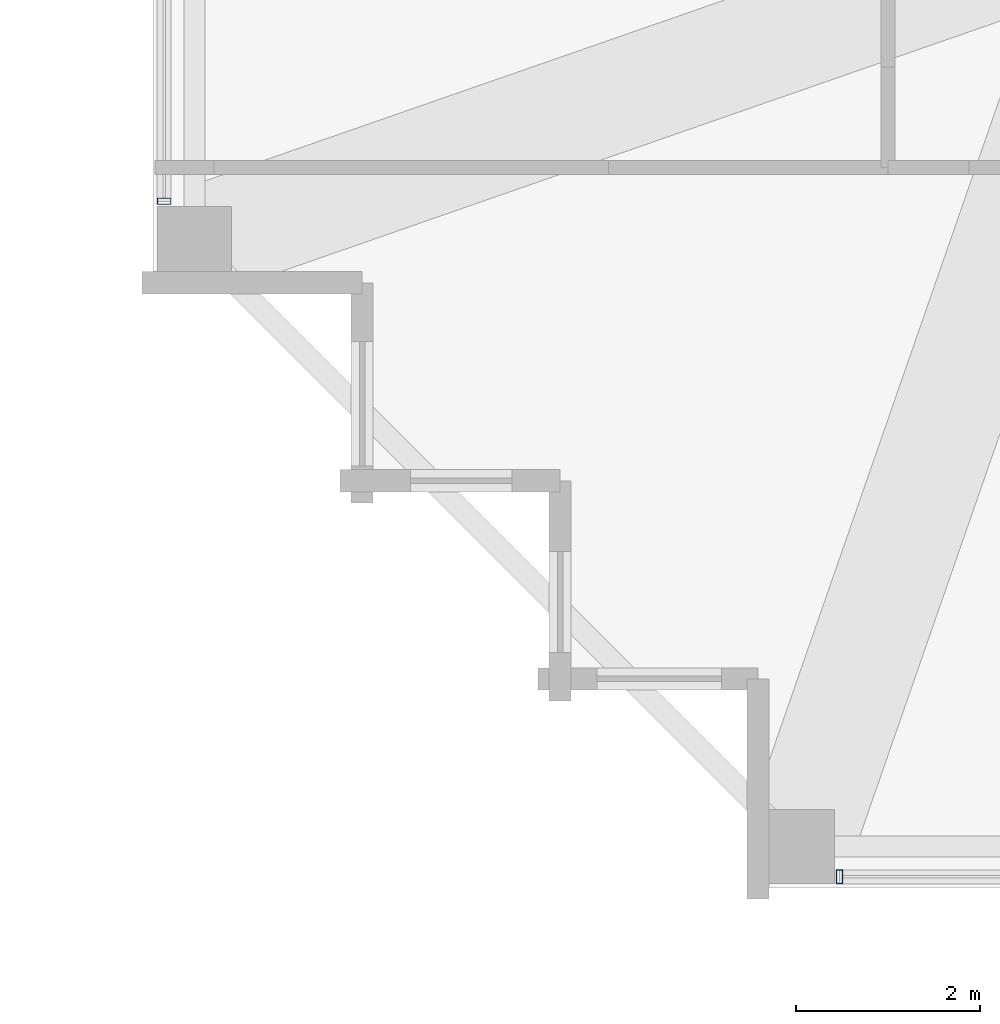
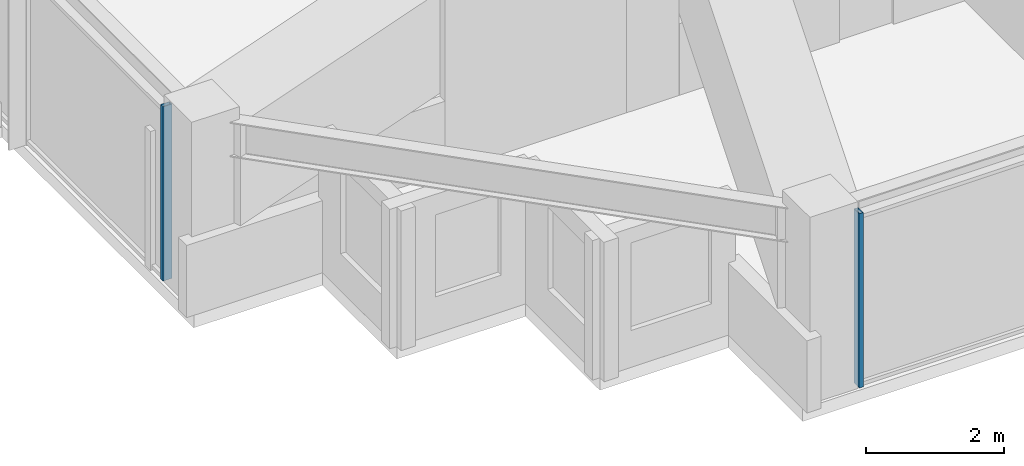
# One storey, part 2 of 35: 2 members, 2 elements without a shape of their own.
"""IFC4 building model written with IfcOpenShell, lengths in metres."""

from ifc_helpers import new_model, si_unit, direction, frame, origin, origin_2d, place, context, subcontext, project, spatial, hollow_rectangle, extrude, material, material_profile, profile_set, type_object, element, aggregate, save


model = new_model("IFC4")

# Units and contexts
model_context = context("Model", 3, precision=1e-05, world=origin(), true_north=direction((0.0, 1.0)))
body_context = subcontext(model_context, "Body", "Model", "MODEL_VIEW")
ifc_project = project(units=[si_unit("LENGTHUNIT", "METRE"), si_unit("AREAUNIT", "SQUARE_METRE"), si_unit("VOLUMEUNIT", "CUBIC_METRE"), si_unit("PLANEANGLEUNIT", "RADIAN"), si_unit("MASSUNIT", "GRAM", prefix="KILO")], contexts=[model_context])

# Site, building, storey
site_placement = place(None, origin())
site = spatial("IfcSite", under=ifc_project, at=site_placement, CompositionType="ELEMENT")
building_placement = place(site_placement, origin())
building = spatial("IfcBuilding", under=site, at=building_placement, Name="Kolvaren Belvedere", CompositionType="ELEMENT")
storey_placement = place(building_placement, frame((0.0, 0.0, 203.10009765625)))
storey = spatial("IfcBuildingStorey", under=building, at=storey_placement, Name="L59", CompositionType="ELEMENT", Elevation=203.10009765625)

# Curtain wall, member
ifc_material_1 = material(Name="Anodised pale-metal aluminium AA 6063-T6", Category="aluminium")
curtain_wall_type = type_object("IfcCurtainWallType", Name="CW-Z5-HIGH", PredefinedType="NOTDEFINED", material=ifc_material_1)
curtain_wall_1_placement = place(storey_placement, origin())
curtain_wall_1 = element("IfcCurtainWall", 1, at=curtain_wall_1_placement, inside=storey, type_object=curtain_wall_type, Name="L59 Unitised Curtain Wall FCW-L59-S-B3", PredefinedType="NOTDEFINED")
ifc_material_2 = material(Name="Anodised pale-metal aluminium AA 6063-T6", Category="aluminium")
ifc_material_profile = material_profile(ifc_material_2, hollow_rectangle(XDim=0.070068359375, YDim=0.14990234375, WallThickness=0.004150390625, at=origin_2d()), Name="ALU-MUL-150X70")
ifc_profile_set = profile_set([ifc_material_profile], Name="Anodised pale-metal aluminium AA 6063-T6")
member_type = type_object("IfcMemberType", Name="CW-MUL-150", PredefinedType="MULLION", material=ifc_profile_set)
member_1_placement = place(storey_placement, frame((-12.945068359375, -20.280029296875, 0.0), z_axis=(0.0, 0.0, 1.0), x_axis=(1.0, 0.0, 0.0)))
member_1 = element("IfcMember", 2, at=member_1_placement, type_object=member_type, Name="FCW-L59-S-B3 Unitised Mullion 3", PredefinedType="MULLION", context=body_context, shape_type="SweptSolid", body=[
    extrude(hollow_rectangle(XDim=0.070068359375, YDim=0.14990234375, WallThickness=0.004150390625, at=origin_2d()), origin(), (0.0, 0.0, 1.0), 3.079833984375),
])
aggregate(curtain_wall_1, [member_1])

curtain_wall_2_placement = place(storey_placement, origin())
curtain_wall_2 = element("IfcCurtainWall", 3, at=curtain_wall_2_placement, inside=storey, type_object=curtain_wall_type, Name="L59 Unitised Curtain Wall FCW-L59-W1-B1", PredefinedType="NOTDEFINED")
member_2_placement = place(storey_placement, frame((-20.280029296875, -12.945068359375, 0.0), z_axis=(0.0, 0.0, 1.0), x_axis=(0.0, 1.0, 0.0)))
member_2 = element("IfcMember", 4, at=member_2_placement, type_object=member_type, Name="FCW-L59-W1-B1 Unitised Mullion 1", PredefinedType="MULLION", context=body_context, shape_type="SweptSolid", body=[
    extrude(hollow_rectangle(XDim=0.070068359375, YDim=0.14990234375, WallThickness=0.004150390625, at=origin_2d()), origin(), (0.0, 0.0, 1.0), 3.079833984375),
])
aggregate(curtain_wall_2, [member_2])

save(model, "model.ifc")
